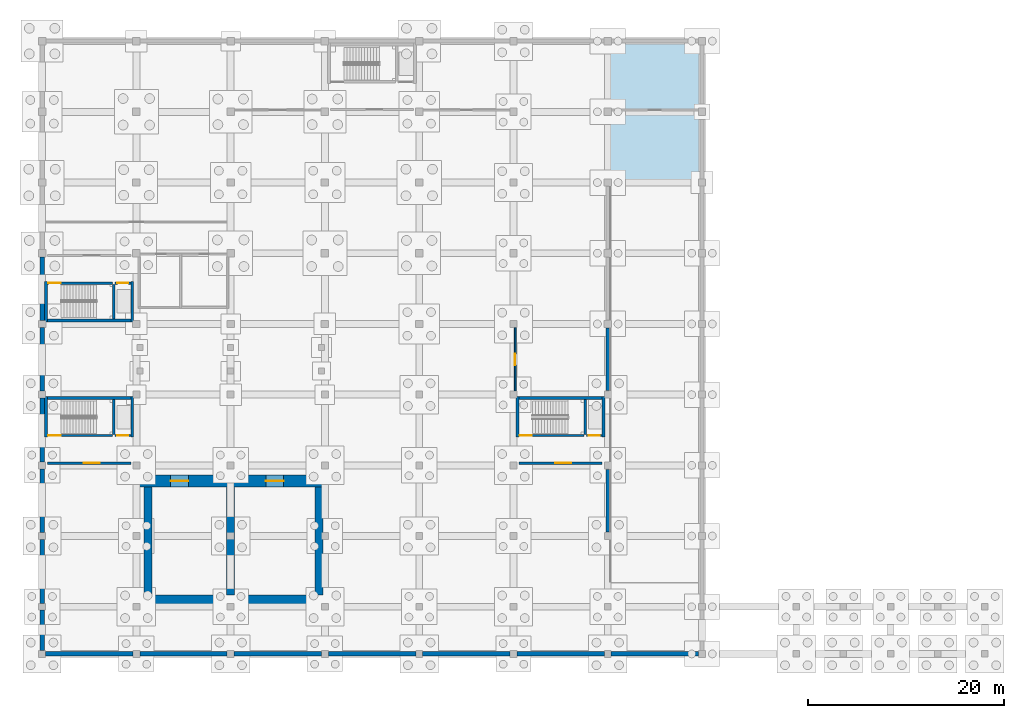
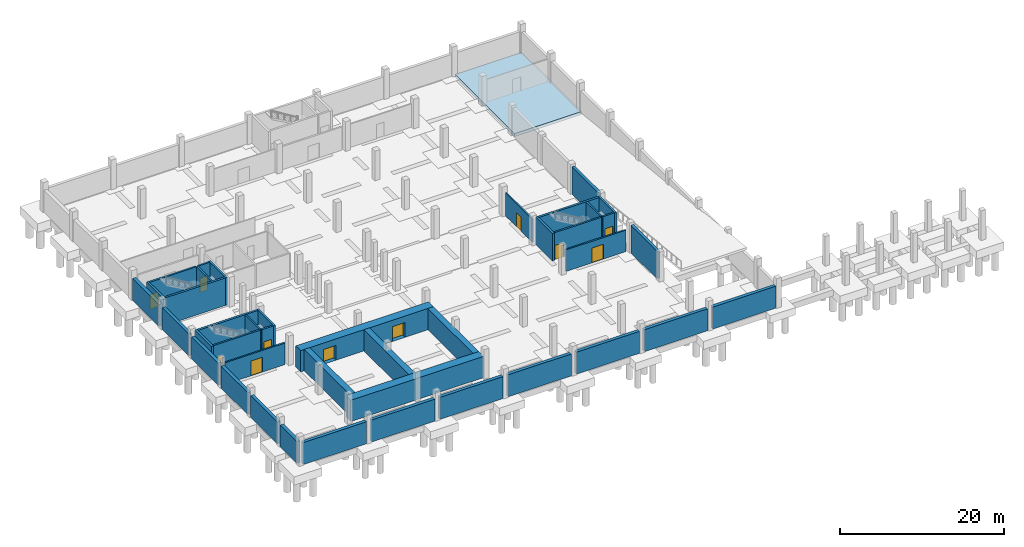
# One storey, part 6 of 13: 41 walls, 11 doors, 1 slab, 11 openings.
"""IFC4 building model written with IfcOpenShell, lengths in metres."""

from ifc_helpers import new_model, si_unit, direction, frame, frame_2d, origin, place, context, subcontext, project, spatial, polyline, rectangle, outline, extrude, material, layer, layer_set, type_object, element, fill, save


model = new_model("IFC4")

# Units and contexts
model_context = context("Model", 3, precision=1e-05, world=origin(), true_north=direction((0.0, 1.0)))
body_context = subcontext(model_context, "Body", "Model", "MODEL_VIEW")
ifc_project = project(units=[si_unit("LENGTHUNIT", "METRE"), si_unit("AREAUNIT", "SQUARE_METRE"), si_unit("VOLUMEUNIT", "CUBIC_METRE"), si_unit("PLANEANGLEUNIT", "RADIAN"), si_unit("MASSUNIT", "GRAM", prefix="KILO")], contexts=[model_context])

# Site, building, storey
site_placement = place(None, origin())
site = spatial("IfcSite", under=ifc_project, at=site_placement, CompositionType="ELEMENT")
building_placement = place(site_placement, origin())
building = spatial("IfcBuilding", under=site, at=building_placement, Name="Asteropetra Specialist Clinic", CompositionType="ELEMENT")
storey_placement = place(building_placement, frame((0.0, 0.0, -4.419921875)))
storey = spatial("IfcBuildingStorey", under=building, at=storey_placement, Name="B1", CompositionType="ELEMENT", Elevation=-4.419921875)

# Slab
ifc_material_1 = material(Name="Concrete C35/45", Category="concrete")
ifc_layer_1 = layer(ifc_material_1, 0.449951171875)
ifc_layer_set_1 = layer_set([ifc_layer_1], Name="Concrete C35/45")
slab_type = type_object("IfcSlabType", Name="SLB-BASE-450", PredefinedType="BASESLAB", material=ifc_layer_set_1)
slab_placement = place(storey_placement, frame((0.0, 0.0, -0.4501953125)))
element("IfcSlab", 1, at=slab_placement, inside=storey, type_object=slab_type, Name="Slab B1-NE-TOE B1", PredefinedType="BASESLAB", context=body_context, shape_type="SweptSolid", body=[
    extrude(outline(polyline([(57.800048828125, 47.800048828125), (67.199951171875, 47.800048828125), (67.199951171875, 62.39990234375), (57.800048828125, 62.39990234375), (57.800048828125, 47.800048828125)])), origin(), (0.0, 0.0, 1.0), 0.4501953125),
])

# Wall, opening, door
ifc_material_2 = material(Name="Fire-rated masonry and gypsum", Category="masonry")
ifc_layer_2 = layer(ifc_material_2, 0.219970703125)
ifc_layer_set_2 = layer_set([ifc_layer_2], Name="Fire-rated masonry and gypsum")
wall_type_1 = type_object("IfcWallType", Name="W-COMP-220", PredefinedType="PARTITIONING", material=ifc_layer_set_2)
wall_1_placement = place(storey_placement, frame((0.56005859375, 19.419921875, 0.0), z_axis=(0.0, 0.0, 1.0), x_axis=(1.0, 0.0, 0.0)))
wall_1 = element("IfcWall", 2, at=wall_1_placement, inside=storey, type_object=wall_type_1, Name="Core Wall CW-C6-B1-LOB", PredefinedType="PARTITIONING", context=body_context, shape_type="SweptSolid", body=[
    extrude(rectangle(XDim=8.47998046875, YDim=0.219970703125, at=frame_2d((4.239990234375, 0.0))), origin(), (0.0, 0.0, 1.0), 3.2099609375),
])
opening_1_placement = place(wall_1_placement, frame((3.699951171875, 0.0, 0.0)))
opening_1 = element("IfcOpeningElement", 3, at=opening_1_placement, cuts=wall_1, Name="Opening FD-054", PredefinedType="OPENING", context=body_context, shape_type="SweptSolid", body=[
    extrude(rectangle(XDim=1.60009765625, YDim=2.199951171875, at=frame_2d((0.800048828125, 1.10009765625))), frame((0.0, 0.119873046875, 0.0), z_axis=(0.0, -1.0, 0.0), x_axis=(1.0, 0.0, 0.0)), (0.0, 0.0, 1.0), 0.239990234375),
])
ifc_material_3 = material(Name="Fire-rated steel and vision glass door", Category="steel")
door_type_1 = type_object("IfcDoorType", Name="FD-LOBBY-1600", OperationType="DOUBLE_DOOR_SINGLE_SWING", PredefinedType="DOOR", material=ifc_material_3)
door_1_placement = place(opening_1_placement, origin())
door_1 = element("IfcDoor", 4, at=door_1_placement, inside=storey, type_object=door_type_1, Name="Lobby Fire Door FD-054", OperationType="DOUBLE_DOOR_SINGLE_SWING", OverallHeight=2.199951171875, OverallWidth=1.60009765625, PredefinedType="DOOR", context=body_context, shape_type="SweptSolid", body=[
    extrude(rectangle(XDim=1.60009765625, YDim=2.199951171875, at=frame_2d((0.800048828125, 1.10009765625))), frame((0.0, 0.02490234375, 0.0), z_axis=(0.0, -1.0, 0.0), x_axis=(1.0, 0.0, 0.0)), (0.0, 0.0, 1.0), 0.050048828125),
])
fill(opening_1, door_1)

wall_2_placement = place(storey_placement, frame((48.56005859375, 19.419921875, 0.0), z_axis=(0.0, 0.0, 1.0), x_axis=(1.0, 0.0, 0.0)))
wall_2 = element("IfcWall", 5, at=wall_2_placement, inside=storey, type_object=wall_type_1, Name="Core Wall CW-C7-B1-LOB", PredefinedType="PARTITIONING", context=body_context, shape_type="SweptSolid", body=[
    extrude(rectangle(XDim=8.47998046875, YDim=0.219970703125, at=frame_2d((4.239990234375, 0.0))), origin(), (0.0, 0.0, 1.0), 3.2099609375),
])
opening_2_placement = place(wall_2_placement, frame((3.699951171875, 0.0, 0.0)))
opening_2 = element("IfcOpeningElement", 6, at=opening_2_placement, cuts=wall_2, Name="Opening FD-060", PredefinedType="OPENING", context=body_context, shape_type="SweptSolid", body=[
    extrude(rectangle(XDim=1.60009765625, YDim=2.199951171875, at=frame_2d((0.800048828125, 1.10009765625))), frame((0.0, 0.119873046875, 0.0), z_axis=(0.0, -1.0, 0.0), x_axis=(1.0, 0.0, 0.0)), (0.0, 0.0, 1.0), 0.239990234375),
])
door_2_placement = place(opening_2_placement, origin())
door_2 = element("IfcDoor", 7, at=door_2_placement, inside=storey, type_object=door_type_1, Name="Lobby Fire Door FD-060", OperationType="DOUBLE_DOOR_SINGLE_SWING", OverallHeight=2.199951171875, OverallWidth=1.60009765625, PredefinedType="DOOR", context=body_context, shape_type="SweptSolid", body=[
    extrude(rectangle(XDim=1.60009765625, YDim=2.199951171875, at=frame_2d((0.800048828125, 1.10009765625))), frame((0.0, 0.02490234375, 0.0), z_axis=(0.0, -1.0, 0.0), x_axis=(1.0, 0.0, 0.0)), (0.0, 0.0, 1.0), 0.050048828125),
])
fill(opening_2, door_2)

# Walls
ifc_material_4 = material(Name="Concrete C35/45", Category="concrete")
ifc_layer_3 = layer(ifc_material_4, 0.300048828125)
ifc_layer_set_3 = layer_set([ifc_layer_3], Name="Concrete C35/45")
wall_type_2 = type_object("IfcWallType", Name="W-CORE-300", PredefinedType="SHEAR", material=ifc_layer_set_3)
for number, where, z_axis, x_axis, name in (
    (8, (0.419921875, 33.81005859375, 0.0), (0.0, 0.0, 1.0), (0.0, 1.0, 0.0), "Core Wall CW-C4-B1-W"),
    (9, (9.179931640625, 33.81005859375, 0.0), (0.0, 0.0, 1.0), (0.0, 1.0, 0.0), "Core Wall CW-C4-B1-E"),
):
    element("IfcWall", number, at=place(storey_placement, frame(where, z_axis=z_axis, x_axis=x_axis)), inside=storey, type_object=wall_type_2, Name=name, PredefinedType="SHEAR", context=body_context, shape_type="SweptSolid", body=[
        extrude(rectangle(XDim=4.099853515625, YDim=0.300048828125, at=frame_2d((2.0498046875, 0.0))), origin(), (0.0, 0.0, 1.0), 4.099853515625),
    ])
wall_3_placement = place(storey_placement, frame((0.56494140625, 33.9599609375, 0.0), z_axis=(0.0, 0.0, 1.0), x_axis=(1.0, 0.0, 0.0)))
element("IfcWall", 10, at=wall_3_placement, inside=storey, type_object=wall_type_2, Name="Core Wall CW-C4-B1-BACK", PredefinedType="SHEAR", context=body_context, shape_type="SweptSolid", body=[
    extrude(rectangle(XDim=8.469970703125, YDim=0.300048828125, at=frame_2d((4.23486328125, 0.0))), origin(), (0.0, 0.0, 1.0), 4.099853515625),
])
for number, where, z_axis, x_axis, name in (
    (11, (0.419921875, 22.090087890625, 0.0), (0.0, 0.0, 1.0), (0.0, 1.0, 0.0), "Core Wall CW-C6-B1-W"),
    (12, (9.179931640625, 22.090087890625, 0.0), (0.0, 0.0, 1.0), (0.0, 1.0, 0.0), "Core Wall CW-C6-B1-E"),
):
    element("IfcWall", number, at=place(storey_placement, frame(where, z_axis=z_axis, x_axis=x_axis)), inside=storey, type_object=wall_type_2, Name=name, PredefinedType="SHEAR", context=body_context, shape_type="SweptSolid", body=[
        extrude(rectangle(XDim=4.099853515625, YDim=0.300048828125, at=frame_2d((2.0498046875, 0.0))), origin(), (0.0, 0.0, 1.0), 4.059814453125),
    ])
wall_4_placement = place(storey_placement, frame((0.56494140625, 26.0400390625, 0.0), z_axis=(0.0, 0.0, 1.0), x_axis=(1.0, 0.0, 0.0)))
element("IfcWall", 13, at=wall_4_placement, inside=storey, type_object=wall_type_2, Name="Core Wall CW-C6-B1-BACK", PredefinedType="SHEAR", context=body_context, shape_type="SweptSolid", body=[
    extrude(rectangle(XDim=8.469970703125, YDim=0.300048828125, at=frame_2d((4.23486328125, 0.0))), origin(), (0.0, 0.0, 1.0), 4.059814453125),
])
for number, where, z_axis, x_axis, name in (
    (14, (48.419921875, 22.090087890625, 0.0), (0.0, 0.0, 1.0), (0.0, 1.0, 0.0), "Core Wall CW-C7-B1-W"),
    (15, (57.179931640625, 22.090087890625, 0.0), (0.0, 0.0, 1.0), (0.0, 1.0, 0.0), "Core Wall CW-C7-B1-E"),
):
    element("IfcWall", number, at=place(storey_placement, frame(where, z_axis=z_axis, x_axis=x_axis)), inside=storey, type_object=wall_type_2, Name=name, PredefinedType="SHEAR", context=body_context, shape_type="SweptSolid", body=[
        extrude(rectangle(XDim=4.099853515625, YDim=0.300048828125, at=frame_2d((2.0498046875, 0.0))), origin(), (0.0, 0.0, 1.0), 4.059814453125),
    ])
wall_5_placement = place(storey_placement, frame((48.56494140625, 26.0400390625, 0.0), z_axis=(0.0, 0.0, 1.0), x_axis=(1.0, 0.0, 0.0)))
element("IfcWall", 16, at=wall_5_placement, inside=storey, type_object=wall_type_2, Name="Core Wall CW-C7-B1-BACK", PredefinedType="SHEAR", context=body_context, shape_type="SweptSolid", body=[
    extrude(rectangle(XDim=8.469970703125, YDim=0.300048828125, at=frame_2d((4.23486328125, 0.0))), origin(), (0.0, 0.0, 1.0), 4.059814453125),
])

# Wall, opening, door
ifc_material_5 = material(Name="Acoustic clinical twin-stud partition", Category="masonry")
ifc_layer_4 = layer(ifc_material_5, 0.179931640625)
ifc_layer_set_4 = layer_set([ifc_layer_4], Name="Acoustic clinical twin-stud partition")
wall_type_3 = type_object("IfcWallType", Name="W-CORR-180", PredefinedType="PARTITIONING", material=ifc_layer_set_4)
wall_6_placement = place(storey_placement, frame((48.179931640625, 26.7548828125, 0.0), z_axis=(0.0, 0.0, 1.0), x_axis=(0.0, 1.0, 0.0)))
wall_6 = element("IfcWall", 17, at=wall_6_placement, inside=storey, type_object=wall_type_3, Name="Interior Partition PW-0011", PredefinedType="PARTITIONING", context=body_context, shape_type="SweptSolid", body=[
    extrude(rectangle(XDim=6.465087890625, YDim=0.179931640625, at=frame_2d((3.232421875, 0.0))), origin(), (0.0, 0.0, 1.0), 3.4599609375),
])
opening_3_placement = place(wall_6_placement, frame((2.632568359375, 0.0, 0.0)))
opening_3 = element("IfcOpeningElement", 18, at=opening_3_placement, cuts=wall_6, Name="Opening FD-P006", PredefinedType="OPENING", context=body_context, shape_type="SweptSolid", body=[
    extrude(rectangle(XDim=1.199951171875, YDim=2.1201171875, at=frame_2d((0.60009765625, 1.06005859375))), frame((0.0, 0.099853515625, 0.0), z_axis=(0.0, -1.0, 0.0), x_axis=(1.0, 0.0, 0.0)), (0.0, 0.0, 1.0), 0.199951171875),
])
ifc_material_6 = material(Name="Fire-rated steel and vision glass door", Category="steel")
door_type_2 = type_object("IfcDoorType", Name="FD-PLANT-1200", OperationType="NOTDEFINED", PredefinedType="DOOR", material=ifc_material_6)
door_3_placement = place(opening_3_placement, origin())
door_3 = element("IfcDoor", 19, at=door_3_placement, inside=storey, type_object=door_type_2, Name="Interior Door FD-P006", OperationType="SINGLE_SWING_RIGHT", OverallHeight=2.1201171875, OverallWidth=1.199951171875, PredefinedType="DOOR", context=body_context, shape_type="SweptSolid", body=[
    extrude(rectangle(XDim=1.199951171875, YDim=2.1201171875, at=frame_2d((0.60009765625, 1.06005859375))), frame((0.0, 0.02490234375, 0.0), z_axis=(0.0, -1.0, 0.0), x_axis=(1.0, 0.0, 0.0)), (0.0, 0.0, 1.0), 0.050048828125),
])
fill(opening_3, door_3)

# Wall
ifc_material_7 = material(Name="Concrete C35/45", Category="concrete")
ifc_layer_5 = layer(ifc_material_7, 0.25)
ifc_layer_set_5 = layer_set([ifc_layer_5], Name="Concrete C35/45")
wall_type_4 = type_object("IfcWallType", Name="W-SHAFT-250", PredefinedType="SHEAR", material=ifc_layer_set_5)
wall_7_placement = place(storey_placement, frame((7.300048828125, 34.110107421875, 0.0), z_axis=(0.0, 0.0, 1.0), x_axis=(0.0, 1.0, 0.0)))
element("IfcWall", 20, at=wall_7_placement, inside=storey, type_object=wall_type_4, Name="Core Wall CW-C4-B1-MID", PredefinedType="SHEAR", context=body_context, shape_type="SweptSolid", body=[
    extrude(rectangle(XDim=3.52978515625, YDim=0.25, at=frame_2d((1.764892578125, 0.0))), origin(), (0.0, 0.0, 1.0), 4.099853515625),
])

# Wall, opening, door
wall_8_placement = place(storey_placement, frame((0.56494140625, 37.760009765625, 0.0), z_axis=(0.0, 0.0, 1.0), x_axis=(1.0, 0.0, 0.0)))
wall_8 = element("IfcWall", 21, at=wall_8_placement, inside=storey, type_object=wall_type_4, Name="Core Wall CW-C4-B1-STDIV", PredefinedType="SHEAR", context=body_context, shape_type="SweptSolid", body=[
    extrude(rectangle(XDim=6.614990234375, YDim=0.25, at=frame_2d((3.3076171875, 0.0))), origin(), (0.0, 0.0, 1.0), 4.099853515625),
])
opening_4_placement = place(wall_8_placement, frame((0.080078125, 0.0, 0.0)))
opening_4 = element("IfcOpeningElement", 22, at=opening_4_placement, cuts=wall_8, Name="Opening FD-033", PredefinedType="OPENING", context=body_context, shape_type="SweptSolid", body=[
    extrude(rectangle(XDim=1.239990234375, YDim=2.14990234375, at=frame_2d((0.6201171875, 1.074951171875))), frame((0.0, 0.135009765625, 0.0), z_axis=(0.0, -1.0, 0.0), x_axis=(1.0, 0.0, 0.0)), (0.0, 0.0, 1.0), 0.27001953125),
])
ifc_material_8 = material(Name="Fire-rated steel and vision glass door", Category="steel")
door_type_3 = type_object("IfcDoorType", Name="FD-STAIR-1400", OperationType="DOUBLE_DOOR_SINGLE_SWING", PredefinedType="DOOR", material=ifc_material_8)
door_4_placement = place(opening_4_placement, origin())
door_4 = element("IfcDoor", 23, at=door_4_placement, inside=storey, type_object=door_type_3, Name="Stair Fire Door FD-033", OperationType="DOUBLE_DOOR_SINGLE_SWING", OverallHeight=2.14990234375, OverallWidth=1.239990234375, PredefinedType="DOOR", context=body_context, shape_type="SweptSolid", body=[
    extrude(rectangle(XDim=1.239990234375, YDim=2.14990234375, at=frame_2d((0.6201171875, 1.074951171875))), frame((0.0, 0.02490234375, 0.0), z_axis=(0.0, -1.0, 0.0), x_axis=(1.0, 0.0, 0.0)), (0.0, 0.0, 1.0), 0.050048828125),
])
fill(opening_4, door_4)

wall_9_placement = place(storey_placement, frame((7.419921875, 37.760009765625, 0.0), z_axis=(0.0, 0.0, 1.0), x_axis=(1.0, 0.0, 0.0)))
wall_9 = element("IfcWall", 24, at=wall_9_placement, inside=storey, type_object=wall_type_4, Name="Lift Shaft Front Wall CW-C4-B1-LFTF", PredefinedType="SHEAR", context=body_context, shape_type="SweptSolid", body=[
    extrude(rectangle(XDim=1.614990234375, YDim=0.25, at=frame_2d((0.8076171875, 0.0))), origin(), (0.0, 0.0, 1.0), 4.099853515625),
])
opening_5_placement = place(wall_9_placement, frame((0.257568359375, 0.0, 0.0)))
opening_5 = element("IfcOpeningElement", 25, at=opening_5_placement, cuts=wall_9, Name="Opening LD-017", PredefinedType="OPENING", context=body_context, shape_type="SweptSolid", body=[
    extrude(rectangle(XDim=1.10009765625, YDim=2.14990234375, at=frame_2d((0.550048828125, 1.074951171875))), frame((0.0, 0.135009765625, 0.0), z_axis=(0.0, -1.0, 0.0), x_axis=(1.0, 0.0, 0.0)), (0.0, 0.0, 1.0), 0.27001953125),
])
ifc_material_9 = material(Name="Brushed stainless steel sliding lift landing door", Category="steel")
door_type_4 = type_object("IfcDoorType", Name="LD-PASS-1100", OperationType="DOUBLE_DOOR_SLIDING", PredefinedType="DOOR", material=ifc_material_9)
door_5_placement = place(opening_5_placement, origin())
door_5 = element("IfcDoor", 26, at=door_5_placement, inside=storey, type_object=door_type_4, Name="Lift Landing Door LD-017", OperationType="DOUBLE_DOOR_SLIDING", OverallHeight=2.14990234375, OverallWidth=1.10009765625, PredefinedType="DOOR", context=body_context, shape_type="SweptSolid", body=[
    extrude(rectangle(XDim=1.10009765625, YDim=2.14990234375, at=frame_2d((0.550048828125, 1.074951171875))), frame((0.0, 0.02490234375, 0.0), z_axis=(0.0, -1.0, 0.0), x_axis=(1.0, 0.0, 0.0)), (0.0, 0.0, 1.0), 0.050048828125),
])
fill(opening_5, door_5)

# Wall
wall_10_placement = place(storey_placement, frame((7.300048828125, 22.360107421875, 0.0), z_axis=(0.0, 0.0, 1.0), x_axis=(0.0, 1.0, 0.0)))
element("IfcWall", 27, at=wall_10_placement, inside=storey, type_object=wall_type_4, Name="Core Wall CW-C6-B1-MID", PredefinedType="SHEAR", context=body_context, shape_type="SweptSolid", body=[
    extrude(rectangle(XDim=3.52978515625, YDim=0.25, at=frame_2d((1.764892578125, 0.0))), origin(), (0.0, 0.0, 1.0), 4.059814453125),
])

# Wall, opening, door
wall_11_placement = place(storey_placement, frame((0.56494140625, 22.239990234375, 0.0), z_axis=(0.0, 0.0, 1.0), x_axis=(1.0, 0.0, 0.0)))
wall_11 = element("IfcWall", 28, at=wall_11_placement, inside=storey, type_object=wall_type_4, Name="Core Wall CW-C6-B1-STDIV", PredefinedType="SHEAR", context=body_context, shape_type="SweptSolid", body=[
    extrude(rectangle(XDim=6.614990234375, YDim=0.25, at=frame_2d((3.3076171875, 0.0))), origin(), (0.0, 0.0, 1.0), 4.059814453125),
])
opening_6_placement = place(wall_11_placement, frame((0.080078125, 0.0, 0.0)))
opening_6 = element("IfcOpeningElement", 29, at=opening_6_placement, cuts=wall_11, Name="Opening FD-053", PredefinedType="OPENING", context=body_context, shape_type="SweptSolid", body=[
    extrude(rectangle(XDim=1.239990234375, YDim=2.14990234375, at=frame_2d((0.6201171875, 1.074951171875))), frame((0.0, 0.135009765625, 0.0), z_axis=(0.0, -1.0, 0.0), x_axis=(1.0, 0.0, 0.0)), (0.0, 0.0, 1.0), 0.27001953125),
])
door_6_placement = place(opening_6_placement, origin())
door_6 = element("IfcDoor", 30, at=door_6_placement, inside=storey, type_object=door_type_3, Name="Stair Fire Door FD-053", OperationType="DOUBLE_DOOR_SINGLE_SWING", OverallHeight=2.14990234375, OverallWidth=1.239990234375, PredefinedType="DOOR", context=body_context, shape_type="SweptSolid", body=[
    extrude(rectangle(XDim=1.239990234375, YDim=2.14990234375, at=frame_2d((0.6201171875, 1.074951171875))), frame((0.0, 0.02490234375, 0.0), z_axis=(0.0, -1.0, 0.0), x_axis=(1.0, 0.0, 0.0)), (0.0, 0.0, 1.0), 0.050048828125),
])
fill(opening_6, door_6)

wall_12_placement = place(storey_placement, frame((7.419921875, 22.239990234375, 0.0), z_axis=(0.0, 0.0, 1.0), x_axis=(1.0, 0.0, 0.0)))
wall_12 = element("IfcWall", 31, at=wall_12_placement, inside=storey, type_object=wall_type_4, Name="Lift Shaft Front Wall CW-C6-B1-LFTF", PredefinedType="SHEAR", context=body_context, shape_type="SweptSolid", body=[
    extrude(rectangle(XDim=1.614990234375, YDim=0.25, at=frame_2d((0.8076171875, 0.0))), origin(), (0.0, 0.0, 1.0), 4.059814453125),
])
opening_7_placement = place(wall_12_placement, frame((0.257568359375, 0.0, 0.0)))
opening_7 = element("IfcOpeningElement", 32, at=opening_7_placement, cuts=wall_12, Name="Opening LD-027", PredefinedType="OPENING", context=body_context, shape_type="SweptSolid", body=[
    extrude(rectangle(XDim=1.10009765625, YDim=2.14990234375, at=frame_2d((0.550048828125, 1.074951171875))), frame((0.0, 0.135009765625, 0.0), z_axis=(0.0, -1.0, 0.0), x_axis=(1.0, 0.0, 0.0)), (0.0, 0.0, 1.0), 0.27001953125),
])
door_7_placement = place(opening_7_placement, origin())
door_7 = element("IfcDoor", 33, at=door_7_placement, inside=storey, type_object=door_type_4, Name="Lift Landing Door LD-027", OperationType="DOUBLE_DOOR_SLIDING", OverallHeight=2.14990234375, OverallWidth=1.10009765625, PredefinedType="DOOR", context=body_context, shape_type="SweptSolid", body=[
    extrude(rectangle(XDim=1.10009765625, YDim=2.14990234375, at=frame_2d((0.550048828125, 1.074951171875))), frame((0.0, 0.02490234375, 0.0), z_axis=(0.0, -1.0, 0.0), x_axis=(1.0, 0.0, 0.0)), (0.0, 0.0, 1.0), 0.050048828125),
])
fill(opening_7, door_7)

# Wall
wall_13_placement = place(storey_placement, frame((55.300048828125, 22.360107421875, 0.0), z_axis=(0.0, 0.0, 1.0), x_axis=(0.0, 1.0, 0.0)))
element("IfcWall", 34, at=wall_13_placement, inside=storey, type_object=wall_type_4, Name="Core Wall CW-C7-B1-MID", PredefinedType="SHEAR", context=body_context, shape_type="SweptSolid", body=[
    extrude(rectangle(XDim=3.52978515625, YDim=0.25, at=frame_2d((1.764892578125, 0.0))), origin(), (0.0, 0.0, 1.0), 4.059814453125),
])

# Wall, opening, door
wall_14_placement = place(storey_placement, frame((48.56494140625, 22.239990234375, 0.0), z_axis=(0.0, 0.0, 1.0), x_axis=(1.0, 0.0, 0.0)))
wall_14 = element("IfcWall", 35, at=wall_14_placement, inside=storey, type_object=wall_type_4, Name="Core Wall CW-C7-B1-STDIV", PredefinedType="SHEAR", context=body_context, shape_type="SweptSolid", body=[
    extrude(rectangle(XDim=6.614990234375, YDim=0.25, at=frame_2d((3.3076171875, 0.0))), origin(), (0.0, 0.0, 1.0), 4.059814453125),
])
opening_8_placement = place(wall_14_placement, frame((0.080078125, 0.0, 0.0)))
opening_8 = element("IfcOpeningElement", 36, at=opening_8_placement, cuts=wall_14, Name="Opening FD-059", PredefinedType="OPENING", context=body_context, shape_type="SweptSolid", body=[
    extrude(rectangle(XDim=1.199951171875, YDim=2.14990234375, at=frame_2d((0.60009765625, 1.074951171875))), frame((0.0, 0.135009765625, 0.0), z_axis=(0.0, -1.0, 0.0), x_axis=(1.0, 0.0, 0.0)), (0.0, 0.0, 1.0), 0.27001953125),
])
ifc_material_10 = material(Name="Fire-rated steel and vision glass door", Category="steel")
door_type_5 = type_object("IfcDoorType", Name="FD-STAIR-1350", OperationType="DOUBLE_DOOR_SINGLE_SWING", PredefinedType="DOOR", material=ifc_material_10)
door_8_placement = place(opening_8_placement, origin())
door_8 = element("IfcDoor", 37, at=door_8_placement, inside=storey, type_object=door_type_5, Name="Stair Fire Door FD-059", OperationType="DOUBLE_DOOR_SINGLE_SWING", OverallHeight=2.14990234375, OverallWidth=1.199951171875, PredefinedType="DOOR", context=body_context, shape_type="SweptSolid", body=[
    extrude(rectangle(XDim=1.199951171875, YDim=2.14990234375, at=frame_2d((0.60009765625, 1.074951171875))), frame((0.0, 0.02490234375, 0.0), z_axis=(0.0, -1.0, 0.0), x_axis=(1.0, 0.0, 0.0)), (0.0, 0.0, 1.0), 0.050048828125),
])
fill(opening_8, door_8)

wall_15_placement = place(storey_placement, frame((55.419921875, 22.239990234375, 0.0), z_axis=(0.0, 0.0, 1.0), x_axis=(1.0, 0.0, 0.0)))
wall_15 = element("IfcWall", 38, at=wall_15_placement, inside=storey, type_object=wall_type_4, Name="Lift Shaft Front Wall CW-C7-B1-LFTF", PredefinedType="SHEAR", context=body_context, shape_type="SweptSolid", body=[
    extrude(rectangle(XDim=1.614990234375, YDim=0.25, at=frame_2d((0.8076171875, 0.0))), origin(), (0.0, 0.0, 1.0), 4.059814453125),
])
opening_9_placement = place(wall_15_placement, frame((0.257568359375, 0.0, 0.0)))
opening_9 = element("IfcOpeningElement", 39, at=opening_9_placement, cuts=wall_15, Name="Opening LD-030", PredefinedType="OPENING", context=body_context, shape_type="SweptSolid", body=[
    extrude(rectangle(XDim=1.10009765625, YDim=2.14990234375, at=frame_2d((0.550048828125, 1.074951171875))), frame((0.0, 0.135009765625, 0.0), z_axis=(0.0, -1.0, 0.0), x_axis=(1.0, 0.0, 0.0)), (0.0, 0.0, 1.0), 0.27001953125),
])
door_9_placement = place(opening_9_placement, origin())
door_9 = element("IfcDoor", 40, at=door_9_placement, inside=storey, type_object=door_type_4, Name="Lift Landing Door LD-030", OperationType="DOUBLE_DOOR_SLIDING", OverallHeight=2.14990234375, OverallWidth=1.10009765625, PredefinedType="DOOR", context=body_context, shape_type="SweptSolid", body=[
    extrude(rectangle(XDim=1.10009765625, YDim=2.14990234375, at=frame_2d((0.550048828125, 1.074951171875))), frame((0.0, 0.02490234375, 0.0), z_axis=(0.0, -1.0, 0.0), x_axis=(1.0, 0.0, 0.0)), (0.0, 0.0, 1.0), 0.050048828125),
])
fill(opening_9, door_9)

# Wall
ifc_material_11 = material(Name="Concrete C40/50", Category="concrete")
ifc_layer_6 = layer(ifc_material_11, 1.199951171875)
ifc_layer_set_6 = layer_set([ifc_layer_6], Name="Concrete C40/50")
wall_type_5 = type_object("IfcWallType", Name="WL-LINAC-1200", PredefinedType="SHEAR", material=ifc_layer_set_6)
wall_16_placement = place(storey_placement, frame((9.89990234375, 5.39990234375, 0.0), z_axis=(0.0, 0.0, 1.0), x_axis=(1.0, 0.0, 0.0)))
element("IfcWall", 41, at=wall_16_placement, inside=storey, type_object=wall_type_5, Name="LINAC Radiation Shield Wall LINAC-W1", PredefinedType="SHEAR", context=body_context, shape_type="SweptSolid", body=[
    extrude(rectangle(XDim=18.7001953125, YDim=1.199951171875, at=frame_2d((9.35009765625, 0.0))), origin(), (0.0, 0.0, 1.0), 3.169921875),
])

# Wall, openings, doors
wall_17_placement = place(storey_placement, frame((9.89990234375, 17.60009765625, 0.0), z_axis=(0.0, 0.0, 1.0), x_axis=(1.0, 0.0, 0.0)))
wall_17 = element("IfcWall", 42, at=wall_17_placement, inside=storey, type_object=wall_type_5, Name="LINAC Radiation Shield Wall LINAC-W3", PredefinedType="SHEAR", context=body_context, shape_type="SweptSolid", body=[
    extrude(rectangle(XDim=18.7001953125, YDim=1.199951171875, at=frame_2d((9.35009765625, 0.0))), origin(), (0.0, 0.0, 1.0), 3.169921875),
])
opening_10_placement = place(wall_17_placement, frame((3.199951171875, 0.0, 0.0)))
opening_10 = element("IfcOpeningElement", 43, at=opening_10_placement, cuts=wall_17, Name="Opening FD-L01", PredefinedType="OPENING", context=body_context, shape_type="SweptSolid", body=[
    extrude(rectangle(XDim=1.800048828125, YDim=2.199951171875, at=frame_2d((0.89990234375, 1.10009765625))), frame((0.0, 0.60986328125, 0.0), z_axis=(0.0, -1.0, 0.0), x_axis=(1.0, 0.0, 0.0)), (0.0, 0.0, 1.0), 1.219970703125),
])
opening_11_placement = place(wall_17_placement, frame((12.89990234375, 0.0, 0.0)))
opening_11 = element("IfcOpeningElement", 44, at=opening_11_placement, cuts=wall_17, Name="Opening FD-L02", PredefinedType="OPENING", context=body_context, shape_type="SweptSolid", body=[
    extrude(rectangle(XDim=1.800048828125, YDim=2.199951171875, at=frame_2d((0.89990234375, 1.10009765625))), frame((0.0, 0.60986328125, 0.0), z_axis=(0.0, -1.0, 0.0), x_axis=(1.0, 0.0, 0.0)), (0.0, 0.0, 1.0), 1.219970703125),
])
ifc_material_12 = material(Name="Fire-rated steel and vision glass door", Category="steel")
door_type_6 = type_object("IfcDoorType", Name="FD-COMP-1800", OperationType="DOUBLE_DOOR_SINGLE_SWING", PredefinedType="DOOR", material=ifc_material_12)
door_10_placement = place(opening_10_placement, origin())
door_10 = element("IfcDoor", 45, at=door_10_placement, inside=storey, type_object=door_type_6, Name="LINAC Bunker 1 Shield Door FD-L01", OperationType="DOUBLE_DOOR_SINGLE_SWING", OverallHeight=2.199951171875, OverallWidth=1.800048828125, PredefinedType="DOOR", context=body_context, shape_type="SweptSolid", body=[
    extrude(rectangle(XDim=1.800048828125, YDim=2.199951171875, at=frame_2d((0.89990234375, 1.10009765625))), frame((0.0, 0.02490234375, 0.0), z_axis=(0.0, -1.0, 0.0), x_axis=(1.0, 0.0, 0.0)), (0.0, 0.0, 1.0), 0.050048828125),
])
fill(opening_10, door_10)
door_11_placement = place(opening_11_placement, origin())
door_11 = element("IfcDoor", 46, at=door_11_placement, inside=storey, type_object=door_type_6, Name="LINAC Bunker 2 Shield Door FD-L02", OperationType="DOUBLE_DOOR_SINGLE_SWING", OverallHeight=2.199951171875, OverallWidth=1.800048828125, PredefinedType="DOOR", context=body_context, shape_type="SweptSolid", body=[
    extrude(rectangle(XDim=1.800048828125, YDim=2.199951171875, at=frame_2d((0.89990234375, 1.10009765625))), frame((0.0, 0.02490234375, 0.0), z_axis=(0.0, -1.0, 0.0), x_axis=(1.0, 0.0, 0.0)), (0.0, 0.0, 1.0), 0.050048828125),
])
fill(opening_11, door_11)

# Walls
ifc_material_13 = material(Name="Concrete C40/50", Category="concrete")
ifc_layer_7 = layer(ifc_material_13, 0.800048828125)
ifc_layer_set_7 = layer_set([ifc_layer_7], Name="Concrete C40/50")
wall_type_6 = type_object("IfcWallType", Name="WL-LINAC-800", PredefinedType="SHEAR", material=ifc_layer_set_7)
for number, where, z_axis, x_axis, name in (
    (47, (19.199951171875, 5.989990234375, 0.0), (0.0, 0.0, 1.0), (0.0, 1.0, 0.0), "LINAC Radiation Shield Wall LINAC-W4"),
    (48, (28.199951171875, 5.989990234375, 0.0), (0.0, 0.0, 1.0), (0.0, 1.0, 0.0), "LINAC Radiation Shield Wall LINAC-W5"),
    (49, (10.800048828125, 5.989990234375, 0.0), (0.0, 0.0, 1.0), (0.0, 1.0, 0.0), "LINAC Radiation Shield Wall LINAC-W6"),
):
    element("IfcWall", number, at=place(storey_placement, frame(where, z_axis=z_axis, x_axis=x_axis)), inside=storey, type_object=wall_type_6, Name=name, PredefinedType="SHEAR", context=body_context, shape_type="SweptSolid", body=[
        extrude(rectangle(XDim=11.02001953125, YDim=0.800048828125, at=frame_2d((5.510009765625, 0.0))), origin(), (0.0, 0.0, 1.0), 3.169921875),
    ])
ifc_material_14 = material(Name="Concrete C35/45", Category="concrete")
ifc_layer_8 = layer(ifc_material_14, 0.39990234375)
ifc_layer_set_8 = layer_set([ifc_layer_8], Name="Concrete C35/45")
wall_type_7 = type_object("IfcWallType", Name="WL-RET-400", PredefinedType="USERDEFINED", material=ifc_layer_set_8)
wall_18_placement = place(storey_placement, frame((57.60009765625, 12.39990234375, 0.0), z_axis=(0.0, 0.0, 1.0), x_axis=(0.0, 1.0, 0.0)))
element("IfcWall", 50, at=wall_18_placement, inside=storey, type_object=wall_type_7, Name="Vehicle Ramp Support Wall CWR-W1", ObjectType="RETAINING WALL", PredefinedType="USERDEFINED", context=body_context, shape_type="SweptSolid", body=[
    extrude(rectangle(XDim=6.400146484375, YDim=0.39990234375, at=frame_2d((3.2001953125, 0.0))), origin(), (0.0, 0.0, 1.0), 4.099853515625),
])
wall_19_placement = place(storey_placement, frame((57.60009765625, 26.800048828125, 0.0), z_axis=(0.0, 0.0, 1.0), x_axis=(0.0, 1.0, 0.0)))
element("IfcWall", 51, at=wall_19_placement, inside=storey, type_object=wall_type_7, Name="Vehicle Ramp Support Wall CWR-W3", ObjectType="RETAINING WALL", PredefinedType="USERDEFINED", context=body_context, shape_type="SweptSolid", body=[
    extrude(rectangle(XDim=6.375, YDim=0.39990234375, at=frame_2d((3.1875, 0.0))), origin(), (0.0, 0.0, 1.0), 4.099853515625),
])
ifc_material_15 = material(Name="Concrete C35/45", Category="concrete")
ifc_layer_9 = layer(ifc_material_15, 0.449951171875)
ifc_layer_set_9 = layer_set([ifc_layer_9], Name="Concrete C35/45")
wall_type_8 = type_object("IfcWallType", Name="WL-RET-450", PredefinedType="USERDEFINED", material=ifc_layer_set_9)
wall_20_placement = place(storey_placement, frame((0.35009765625, 0.0, 0.0), z_axis=(0.0, 0.0, 1.0), x_axis=(1.0, 0.0, 0.0)))
element("IfcWall", 52, at=wall_20_placement, inside=storey, type_object=wall_type_8, Name="Basement Retaining Wall WR-001", ObjectType="RETAINING WALL", PredefinedType="USERDEFINED", context=body_context, shape_type="SweptSolid", body=[
    extrude(rectangle(XDim=8.89990234375, YDim=0.449951171875, at=frame_2d((4.449951171875, 0.0))), origin(), (0.0, 0.0, 1.0), 3.27001953125),
])
wall_21_placement = place(storey_placement, frame((9.949951171875, 0.0, 0.0), z_axis=(0.0, 0.0, 1.0), x_axis=(1.0, 0.0, 0.0)))
element("IfcWall", 53, at=wall_21_placement, inside=storey, type_object=wall_type_8, Name="Basement Retaining Wall WR-003", ObjectType="RETAINING WALL", PredefinedType="USERDEFINED", context=body_context, shape_type="SweptSolid", body=[
    extrude(rectangle(XDim=8.900146484375, YDim=0.449951171875, at=frame_2d((4.4501953125, 0.0))), origin(), (0.0, 0.0, 1.0), 3.27001953125),
])
wall_22_placement = place(storey_placement, frame((19.550048828125, 0.0, 0.0), z_axis=(0.0, 0.0, 1.0), x_axis=(1.0, 0.0, 0.0)))
element("IfcWall", 54, at=wall_22_placement, inside=storey, type_object=wall_type_8, Name="Basement Retaining Wall WR-005", ObjectType="RETAINING WALL", PredefinedType="USERDEFINED", context=body_context, shape_type="SweptSolid", body=[
    extrude(rectangle(XDim=8.89990234375, YDim=0.449951171875, at=frame_2d((4.449951171875, 0.0))), origin(), (0.0, 0.0, 1.0), 3.27001953125),
])
wall_23_placement = place(storey_placement, frame((29.14990234375, 0.0, 0.0), z_axis=(0.0, 0.0, 1.0), x_axis=(1.0, 0.0, 0.0)))
element("IfcWall", 55, at=wall_23_placement, inside=storey, type_object=wall_type_8, Name="Basement Retaining Wall WR-007", ObjectType="RETAINING WALL", PredefinedType="USERDEFINED", context=body_context, shape_type="SweptSolid", body=[
    extrude(rectangle(XDim=8.900146484375, YDim=0.449951171875, at=frame_2d((4.4501953125, 0.0))), origin(), (0.0, 0.0, 1.0), 3.27001953125),
])
for number, where, z_axis, x_axis, name in (
    (56, (38.75, 0.0, 0.0), (0.0, 0.0, 1.0), (1.0, 0.0, 0.0), "Basement Retaining Wall WR-009"),
    (57, (48.35009765625, 0.0, 0.0), (0.0, 0.0, 1.0), (1.0, 0.0, 0.0), "Basement Retaining Wall WR-011"),
):
    element("IfcWall", number, at=place(storey_placement, frame(where, z_axis=z_axis, x_axis=x_axis)), inside=storey, type_object=wall_type_8, Name=name, ObjectType="RETAINING WALL", PredefinedType="USERDEFINED", context=body_context, shape_type="SweptSolid", body=[
        extrude(rectangle(XDim=8.89990234375, YDim=0.449951171875, at=frame_2d((4.449951171875, 0.0))), origin(), (0.0, 0.0, 1.0), 3.27001953125),
    ])
wall_24_placement = place(storey_placement, frame((57.949951171875, 0.0, 0.0), z_axis=(0.0, 0.0, 1.0), x_axis=(1.0, 0.0, 0.0)))
element("IfcWall", 58, at=wall_24_placement, inside=storey, type_object=wall_type_8, Name="Basement Retaining Wall WR-013", ObjectType="RETAINING WALL", PredefinedType="USERDEFINED", context=body_context, shape_type="SweptSolid", body=[
    extrude(rectangle(XDim=8.900146484375, YDim=0.449951171875, at=frame_2d((4.4501953125, 0.0))), origin(), (0.0, 0.0, 1.0), 3.27001953125),
])
wall_25_placement = place(storey_placement, frame((0.0, 0.35009765625, 0.0), z_axis=(0.0, 0.0, 1.0), x_axis=(0.0, 1.0, 0.0)))
element("IfcWall", 59, at=wall_25_placement, inside=storey, type_object=wall_type_8, Name="Basement Retaining Wall WR-015", ObjectType="RETAINING WALL", PredefinedType="USERDEFINED", context=body_context, shape_type="SweptSolid", body=[
    extrude(rectangle(XDim=4.099853515625, YDim=0.449951171875, at=frame_2d((2.0498046875, 0.0))), origin(), (0.0, 0.0, 1.0), 3.27001953125),
])
for number, where, z_axis, x_axis, name in (
    (60, (0.0, 5.14990234375, 0.0), (0.0, 0.0, 1.0), (0.0, 1.0, 0.0), "Basement Retaining Wall WR-017"),
    (61, (0.0, 12.35009765625, 0.0), (0.0, 0.0, 1.0), (0.0, 1.0, 0.0), "Basement Retaining Wall WR-019"),
    (62, (0.0, 19.550048828125, 0.0), (0.0, 0.0, 1.0), (0.0, 1.0, 0.0), "Basement Retaining Wall WR-021"),
):
    element("IfcWall", number, at=place(storey_placement, frame(where, z_axis=z_axis, x_axis=x_axis)), inside=storey, type_object=wall_type_8, Name=name, ObjectType="RETAINING WALL", PredefinedType="USERDEFINED", context=body_context, shape_type="SweptSolid", body=[
        extrude(rectangle(XDim=6.5, YDim=0.449951171875, at=frame_2d((3.25, 0.0))), origin(), (0.0, 0.0, 1.0), 3.27001953125),
    ])
wall_26_placement = place(storey_placement, frame((0.0, 26.75, 0.0), z_axis=(0.0, 0.0, 1.0), x_axis=(0.0, 1.0, 0.0)))
element("IfcWall", 63, at=wall_26_placement, inside=storey, type_object=wall_type_8, Name="Basement Retaining Wall WR-023", ObjectType="RETAINING WALL", PredefinedType="USERDEFINED", context=body_context, shape_type="SweptSolid", body=[
    extrude(rectangle(XDim=6.47509765625, YDim=0.449951171875, at=frame_2d((3.237548828125, 0.0))), origin(), (0.0, 0.0, 1.0), 3.27001953125),
])
wall_27_placement = place(storey_placement, frame((0.0, 33.97509765625, 0.0), z_axis=(0.0, 0.0, 1.0), x_axis=(0.0, 1.0, 0.0)))
element("IfcWall", 64, at=wall_27_placement, inside=storey, type_object=wall_type_8, Name="Basement Retaining Wall WR-025", ObjectType="RETAINING WALL", PredefinedType="USERDEFINED", context=body_context, shape_type="SweptSolid", body=[
    extrude(rectangle(XDim=6.449951171875, YDim=0.449951171875, at=frame_2d((3.22509765625, 0.0))), origin(), (0.0, 0.0, 1.0), 3.27001953125),
])

save(model, "model.ifc")
